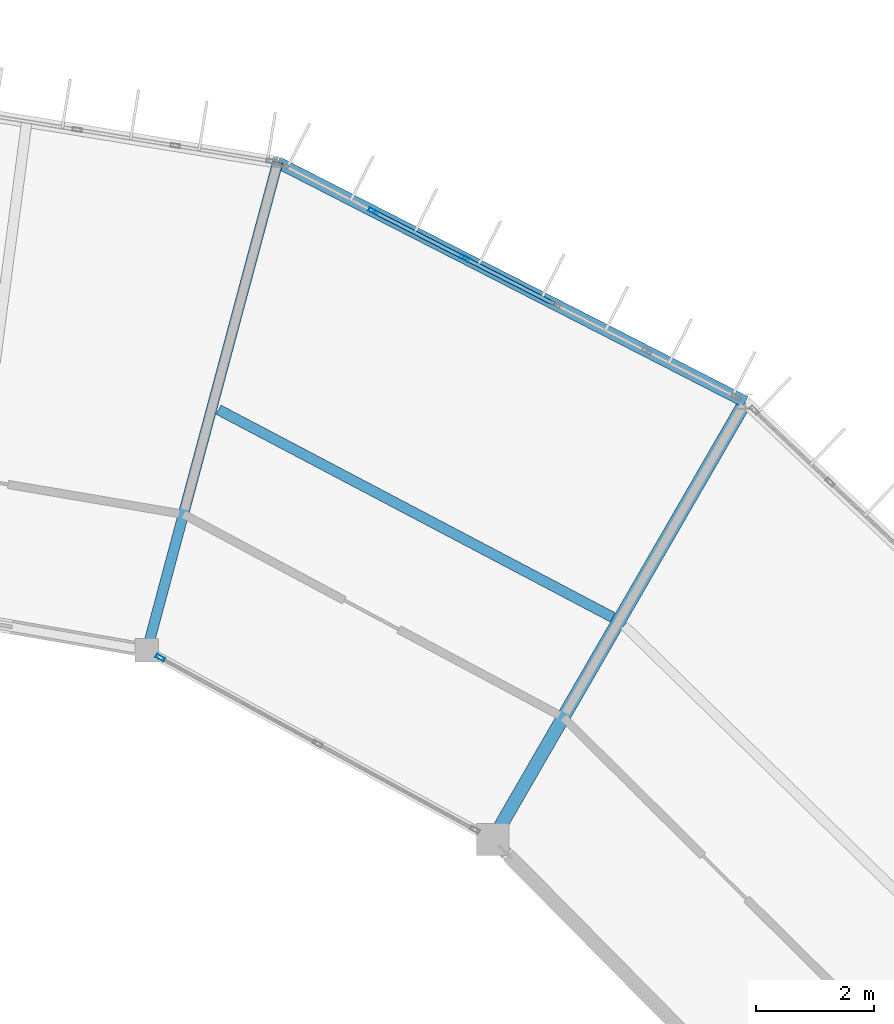
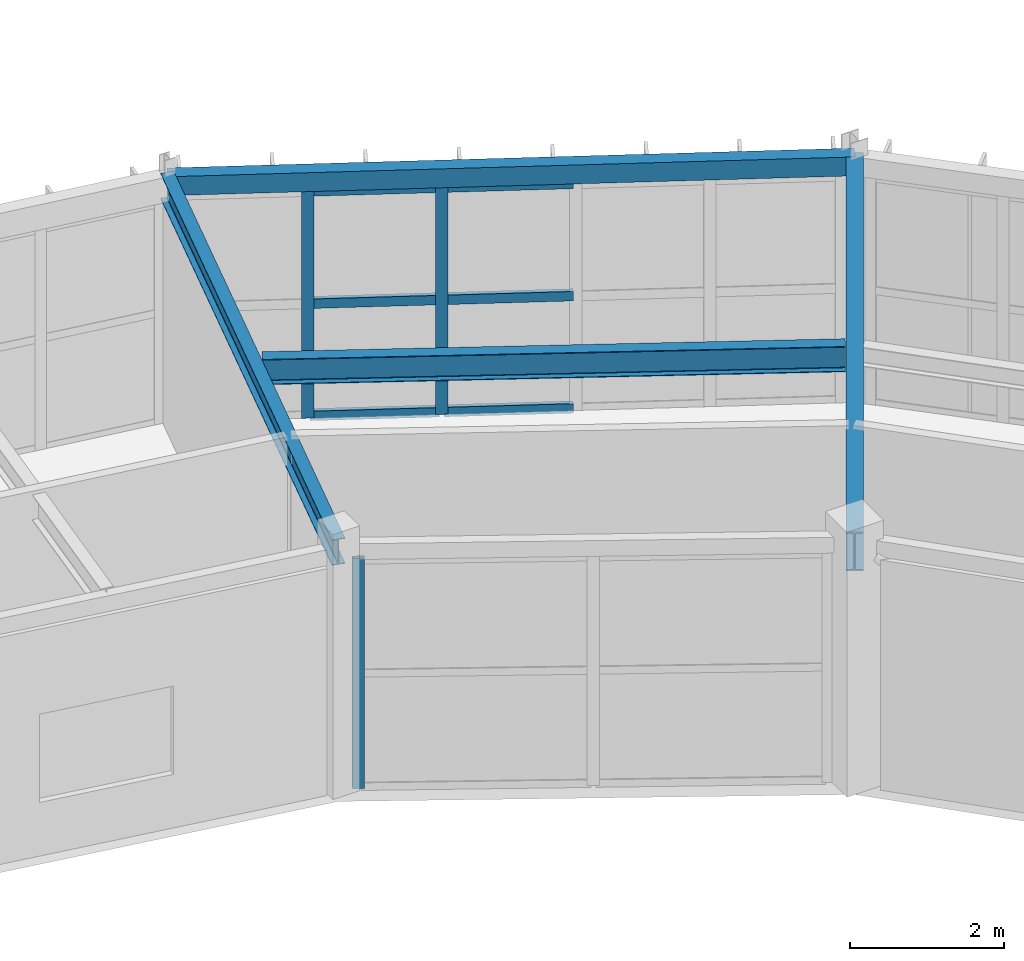
# One storey, part 72 of 106: 9 members, 4 beams, 2 elements without a shape of their own.
"""IFC4 building model written with IfcOpenShell, lengths in metres."""

import ifcopenshell
import ifcopenshell.guid

model = None  # the IFC model being written
_history = None  # IfcOwnerHistory: only IFC2X3 demands one
_inside = {}  # id of a spatial element -> (the spatial element, [elements in it])
_under = {}  # id of a project, library or spatial element -> (it, [spatial elements below it])
_declared = {}  # id of a project -> (the project, [libraries it declares])
_typed = {}  # id of a type object -> (the type object, [elements of that type])
_made_of = {}  # id of a material, layer set ... -> (it, [elements and type objects made of it])


def new_model(schema):
    """Start an empty IFC model of exactly this schema.

    Asked for "IFC4X3", IfcOpenShell would pick the latest addendum, in which some entities
    have other attributes; the version numbers below select the first issue.
    IFC2X3 requires an IfcOwnerHistory on every rooted entity: one is made here for all.
    """
    global model, _history
    if schema == "IFC4X3":
        model = ifcopenshell.file(schema_version=(4, 3, 0, 0))
    else:
        model = ifcopenshell.file(schema=schema)
    _inside.clear()
    _under.clear()
    _declared.clear()
    _typed.clear()
    _made_of.clear()
    _history = None
    if model.schema == "IFC2X3":
        org = make("IfcOrganization", Name="unknown")
        user = make(
            "IfcPersonAndOrganization",
            ThePerson=make("IfcPerson", FamilyName="unknown"),
            TheOrganization=org,
        )
        app = make(
            "IfcApplication",
            ApplicationDeveloper=org,
            Version="unknown",
            ApplicationFullName="unknown",
            ApplicationIdentifier="unknown",
        )
        _history = make(
            "IfcOwnerHistory",
            OwningUser=user,
            OwningApplication=app,
            ChangeAction="ADDED",
            CreationDate=0,
        )
    return model


def make(cls, **values):
    """One entity of the class cls with the attributes given. An attribute that is None is left unset."""
    return model.create_entity(
        cls, **{name: value for name, value in values.items() if value is not None}
    )


def rooted(cls, **values):
    """An entity with a GlobalId (a new one), such as an element, a storey or a relation."""
    return make(cls, GlobalId=ifcopenshell.guid.new(), OwnerHistory=_history, **values)


def si_unit(unit_type, name, prefix=None):
    """IfcSIUnit, for example si_unit("LENGTHUNIT", "METRE", prefix="MILLI")."""
    return make("IfcSIUnit", UnitType=unit_type, Prefix=prefix, Name=name)


def assignment(units):
    """IfcUnitAssignment: the units of a project."""
    return None if units is None else make("IfcUnitAssignment", Units=units)


def point(xyz):
    """IfcCartesianPoint."""
    return None if xyz is None else make("IfcCartesianPoint", Coordinates=xyz)


def direction(xyz):
    """IfcDirection."""
    return None if xyz is None else make("IfcDirection", DirectionRatios=xyz)


def frame(location, z_axis=None, x_axis=None):
    """IfcAxis2Placement3D, a coordinate frame: its origin and axes. An axis left out is left unset."""
    return make(
        "IfcAxis2Placement3D",
        Location=point(location),
        Axis=direction(z_axis),
        RefDirection=direction(x_axis),
    )


def frame_2d(location, x_axis=None):
    """IfcAxis2Placement2D, a coordinate frame in the plane: its origin and x axis."""
    return make(
        "IfcAxis2Placement2D", Location=point(location), RefDirection=direction(x_axis)
    )


def origin():
    """The frame at (0, 0, 0) with its axes left unset."""
    return frame((0.0, 0.0, 0.0))


def origin_2d():
    """The frame at (0, 0) in the plane with its x axis left unset."""
    return frame_2d((0.0, 0.0))


def place(relative_to, where):
    """IfcLocalPlacement: puts the frame where relative to a parent placement (None: the world)."""
    return make(
        "IfcLocalPlacement", PlacementRelTo=relative_to, RelativePlacement=where
    )


def context(
    kind, dimensions, precision=None, world=None, true_north=None, identifier=None
):
    """IfcGeometricRepresentationContext, for example the 3D "Model" context."""
    return make(
        "IfcGeometricRepresentationContext",
        ContextIdentifier=identifier,
        ContextType=kind,
        CoordinateSpaceDimension=dimensions,
        Precision=precision,
        WorldCoordinateSystem=world,
        TrueNorth=true_north,
    )


def subcontext(parent, identifier, kind, view, scale=None):
    """IfcGeometricRepresentationSubContext, for example "Body" below "Model"."""
    return make(
        "IfcGeometricRepresentationSubContext",
        ContextIdentifier=identifier,
        ContextType=kind,
        ParentContext=parent,
        TargetScale=scale,
        TargetView=view,
    )


def project(units=None, contexts=None):
    """IfcProject with its units and contexts."""
    return rooted(
        "IfcProject",
        Name="project",
        RepresentationContexts=contexts,
        UnitsInContext=assignment(units),
    )


def spatial(cls, under=None, at=None, **own):
    """A site, building, storey or space (cls), placed at a placement, below another one or the project."""
    s = rooted(cls, ObjectPlacement=at, **own)
    if under is not None:
        _under.setdefault(under.id(), (under, []))[1].append(s)
    return s


def profile(cls, at=None, kind="AREA", **sizes):
    """A parametric profile (cls). Its sizes go by their IFC names, for example OverallWidth=200.0."""
    return make(cls, ProfileType=kind, Position=at, **sizes)


def hollow_rectangle(**sizes):
    """IfcRectangleHollowProfileDef."""
    return profile("IfcRectangleHollowProfileDef", **sizes)


def i_section(**sizes):
    """IfcIShapeProfileDef."""
    return profile("IfcIShapeProfileDef", **sizes)


def extrude(swept, where, along, depth):
    """IfcExtrudedAreaSolid: the profile swept, set in the frame where, extruded along a direction by depth."""
    return make(
        "IfcExtrudedAreaSolid",
        SweptArea=swept,
        Position=where,
        ExtrudedDirection=direction(along),
        Depth=depth,
    )


def shape(context_of_items, identifier, shape_type, items):
    """IfcShapeRepresentation: the items that make up one representation, for example the "Body"."""
    return make(
        "IfcShapeRepresentation",
        ContextOfItems=context_of_items,
        RepresentationIdentifier=identifier,
        RepresentationType=shape_type,
        Items=items,
    )


def material(Name=None, Category=None):
    """IfcMaterial."""
    return make("IfcMaterial", Name=Name, Category=Category)


def material_profile(
    of_material, cross_section, Name=None, Category=None, Priority=None
):
    """IfcMaterialProfile: a cross section and its material."""
    return make(
        "IfcMaterialProfile",
        Name=Name,
        Material=of_material,
        Profile=cross_section,
        Priority=Priority,
        Category=Category,
    )


def profile_set(profiles, Name=None, composite=None):
    """IfcMaterialProfileSet."""
    return make(
        "IfcMaterialProfileSet",
        Name=Name,
        MaterialProfiles=profiles,
        CompositeProfile=composite,
    )


def made_of(thing, what):
    """Note that an element or type object is made of a material, layer set ...; save() writes the relation."""
    if what is not None:
        _made_of.setdefault(what.id(), (what, []))[1].append(thing)
    return thing


def type_object(cls, material=None, **own):
    """A type object (cls), such as IfcWallType, which elements share."""
    return made_of(rooted(cls, **own), material)


def element(
    cls,
    number,
    at=None,
    inside=None,
    cuts=None,
    type_object=None,
    material=None,
    context=None,
    identifier="Body",
    shape_type=None,
    held_by="IfcProductDefinitionShape",
    body=None,
    shapes=None,
    **own,
):
    """One element of the class cls, such as IfcWall. Its Tag is "e" and its number.

    at: its placement. inside: the storey or other place that contains it. cuts: it is an
    opening in that element (IfcRelVoidsElement). A single representation is given by context,
    identifier, shape_type and body (its items); several are given by shapes. held_by: the class
    of the entity that holds the representations. save() writes the other relations.
    """
    e = rooted(cls, Tag="e%d" % number, ObjectPlacement=at, **own)
    if body is not None:
        shapes = [shape(context, identifier, shape_type, body)]
    if shapes is not None:
        e.Representation = make(held_by, Representations=shapes)
    if inside is not None:
        _inside.setdefault(inside.id(), (inside, []))[1].append(e)
    if cuts is not None:
        rooted(
            "IfcRelVoidsElement", RelatingBuildingElement=cuts, RelatedOpeningElement=e
        )
    if type_object is not None:
        _typed.setdefault(type_object.id(), (type_object, []))[1].append(e)
    return made_of(e, material)


def aggregate(whole, parts):
    """IfcRelAggregates: a whole, such as a stair, and the parts it consists of."""
    return rooted("IfcRelAggregates", RelatingObject=whole, RelatedObjects=parts)


def save(model, path):
    """Write the relations noted so far, then the file.

    IfcRelAggregates (storeys below a building ...), IfcRelContainedInSpatialStructure (elements
    in a storey), IfcRelDefinesByType, IfcRelAssociatesMaterial and IfcRelDeclares: one each for
    every whole, place, type object, material and project.
    """
    for whole, parts in _under.values():
        aggregate(whole, parts)
    for where, things in _inside.values():
        rooted(
            "IfcRelContainedInSpatialStructure",
            RelatedElements=things,
            RelatingStructure=where,
        )
    for kind, things in _typed.values():
        rooted("IfcRelDefinesByType", RelatedObjects=things, RelatingType=kind)
    for what, things in _made_of.values():
        rooted("IfcRelAssociatesMaterial", RelatedObjects=things, RelatingMaterial=what)
    for by, libraries in _declared.values():
        rooted("IfcRelDeclares", RelatingContext=by, RelatedDefinitions=libraries)
    model.write(path)


model = new_model("IFC4")

# Units and contexts
model_context = context("Model", 3, precision=1e-05, world=origin(), true_north=direction((0.0, 1.0)))
body_context = subcontext(model_context, "Body", "Model", "MODEL_VIEW")
ifc_project = project(units=[si_unit("LENGTHUNIT", "METRE"), si_unit("AREAUNIT", "SQUARE_METRE"), si_unit("VOLUMEUNIT", "CUBIC_METRE"), si_unit("PLANEANGLEUNIT", "RADIAN"), si_unit("MASSUNIT", "GRAM", prefix="KILO")], contexts=[model_context])

# Site, building, storey
site_placement = place(None, origin())
site = spatial("IfcSite", under=ifc_project, at=site_placement, CompositionType="ELEMENT")
building_placement = place(site_placement, origin())
building = spatial("IfcBuilding", under=site, at=building_placement, Name="Karori Crest Natural Sciences Institute", CompositionType="ELEMENT")
storey_placement = place(building_placement, frame((0.0, 0.0, 25.89990234375)))
storey = spatial("IfcBuildingStorey", under=building, at=storey_placement, Name="L06", CompositionType="ELEMENT", Elevation=25.89990234375)

# Beams
ifc_material_1 = material(Name="Structural steel AS/NZS 3679.1 Grade 350", Category="steel")
ifc_material_profile_1 = material_profile(ifc_material_1, i_section(OverallWidth=0.22900390625, OverallDepth=0.612060546875, WebThickness=0.011962890625, FlangeThickness=0.01953125, FilletRadius=0.013916015625, at=origin_2d()), Name="610UB125")
ifc_profile_set_1 = profile_set([ifc_material_profile_1], Name="Structural steel AS/NZS 3679.1 Grade 350")
beam_type_1 = type_object("IfcBeamType", Name="BT-04", PredefinedType="BEAM", material=ifc_profile_set_1)
beam_1_placement = place(storey_placement, frame((78.60009765625, 77.785888671875, 3.634033203125), z_axis=(0.499973925258, 0.86604045752, 0.0), x_axis=(-0.86604045752, 0.499973925258, 0.0)))
element("IfcBeam", 1, at=beam_1_placement, inside=storey, type_object=beam_type_1, Name="Beam B-0635", PredefinedType="BEAM", context=body_context, shape_type="SweptSolid", body=[
    extrude(i_section(OverallWidth=0.22900390625, OverallDepth=0.612060546875, WebThickness=0.011962890625, FlangeThickness=0.01953125, FilletRadius=0.013916015625, at=origin_2d()), origin(), (0.0, 0.0, 1.0), 8.60009765625),
])
ifc_material_profile_2 = material_profile(ifc_material_1, i_section(OverallWidth=0.177978515625, OverallDepth=0.406005859375, WebThickness=0.0078125, FlangeThickness=0.0126953125, FilletRadius=0.010986328125, at=origin_2d()), Name="410UB59.7")
ifc_profile_set_2 = profile_set([ifc_material_profile_2], Name="Structural steel AS/NZS 3679.1 Grade 350")
beam_type_2 = type_object("IfcBeamType", Name="BT-07", PredefinedType="BEAM", material=ifc_profile_set_2)
beam_2_placement = place(storey_placement, frame((72.715087890625, 81.002685546875, 3.739990234375), z_axis=(0.258812709002, 0.96592752402, 0.0), x_axis=(-0.96592752402, 0.258812709002, 0.0)))
element("IfcBeam", 2, at=beam_2_placement, inside=storey, type_object=beam_type_2, Name="Beam B-0661", PredefinedType="BEAM", context=body_context, shape_type="SweptSolid", body=[
    extrude(i_section(OverallWidth=0.177978515625, OverallDepth=0.406005859375, WebThickness=0.0078125, FlangeThickness=0.0126953125, FilletRadius=0.010986328125, at=origin_2d()), origin(), (0.0, 0.0, 1.0), 8.60009765625),
])
ifc_material_2 = material(Name="Hollow structural steel AS/NZS 1163 Grade C350", Category="steel")
ifc_material_profile_3 = material_profile(ifc_material_2, hollow_rectangle(XDim=0.199951171875, YDim=0.300048828125, WallThickness=0.010009765625, at=origin_2d()), Name="RHS300x200x10")
ifc_profile_set_3 = profile_set([ifc_material_profile_3], Name="Hollow structural steel AS/NZS 1163 Grade C350")
beam_type_3 = type_object("IfcBeamType", Name="BT-15", PredefinedType="SPANDREL", material=ifc_profile_set_3)
beam_3_placement = place(storey_placement, frame((82.89990234375, 85.23388671875, 3.7900390625), z_axis=(-0.890071733872, 0.455820478436, 0.0), x_axis=(-0.455820478436, -0.890071733872, 0.0)))
element("IfcBeam", 3, at=beam_3_placement, inside=storey, type_object=beam_type_3, Name="Beam B-0633", PredefinedType="SPANDREL", context=body_context, shape_type="SweptSolid", body=[
    extrude(hollow_rectangle(XDim=0.199951171875, YDim=0.300048828125, WallThickness=0.010009765625, at=origin_2d()), origin(), (0.0, 0.0, 1.0), 8.94189453125),
])
ifc_material_profile_4 = material_profile(ifc_material_1, i_section(OverallWidth=0.177978515625, OverallDepth=0.403076171875, WebThickness=0.007568359375, FlangeThickness=0.010986328125, FilletRadius=0.010986328125, at=origin_2d()), Name="410UB53.7")
ifc_profile_set_4 = profile_set([ifc_material_profile_4], Name="Structural steel AS/NZS 3679.1 Grade 350")
beam_type_4 = type_object("IfcBeamType", Name="BT-29", PredefinedType="BEAM", material=ifc_profile_set_4)
beam_4_placement = place(storey_placement, frame((80.643798828125, 81.56591796875, 3.738525390625), z_axis=(-0.884748465601, 0.466068828197, 0.0), x_axis=(-0.466068828197, -0.884748465601, 0.0)))
element("IfcBeam", 4, at=beam_4_placement, inside=storey, type_object=beam_type_4, Name="Beam B-0636", PredefinedType="BEAM", context=body_context, shape_type="SweptSolid", body=[
    extrude(i_section(OverallWidth=0.177978515625, OverallDepth=0.403076171875, WebThickness=0.007568359375, FlangeThickness=0.010986328125, FilletRadius=0.010986328125, at=origin_2d()), origin(), (0.0, 0.0, 1.0), 7.58349609375),
])

# Curtain wall, members
ifc_material_3 = material(Name="Anodised architectural aluminium 6063-T6", Category="aluminium")
curtain_wall_type_1 = type_object("IfcCurtainWallType", Name="CWT-05", PredefinedType="NOTDEFINED", material=ifc_material_3)
curtain_wall_1_placement = place(storey_placement, origin())
curtain_wall_1 = element("IfcCurtainWall", 5, at=curtain_wall_1_placement, inside=storey, type_object=curtain_wall_type_1, Name="Curtain wall CW-0226", PredefinedType="NOTDEFINED")
ifc_material_profile_5 = material_profile(ifc_material_3, hollow_rectangle(XDim=0.06494140625, YDim=0.159912109375, WallThickness=0.00390625, at=origin_2d()), Name="CWM160x65x4")
ifc_profile_set_5 = profile_set([ifc_material_profile_5], Name="Anodised architectural aluminium 6063-T6")
member_type_1 = type_object("IfcMemberType", Name="CWM-01", PredefinedType="MULLION", material=ifc_profile_set_5)
member_1_placement = place(storey_placement, frame((76.56787109375, 88.4765625, 0.0), z_axis=(0.0, 0.0, 1.0), x_axis=(0.455828878252, 0.890067432138, 0.0)))
member_1 = element("IfcMember", 6, at=member_1_placement, type_object=member_type_1, Name="CW-0226 mullion 2", PredefinedType="MULLION", context=body_context, shape_type="SweptSolid", body=[
    extrude(hollow_rectangle(XDim=0.06494140625, YDim=0.159912109375, WallThickness=0.00390625, at=origin_2d()), origin(), (0.0, 0.0, 1.0), 3.625),
])
member_2_placement = place(storey_placement, frame((78.11962890625, 87.681884765625, 0.0), z_axis=(0.0, 0.0, 1.0), x_axis=(0.455828878252, 0.890067432138, 0.0)))
member_2 = element("IfcMember", 7, at=member_2_placement, type_object=member_type_1, Name="CW-0226 mullion 3", PredefinedType="MULLION", context=body_context, shape_type="SweptSolid", body=[
    extrude(hollow_rectangle(XDim=0.06494140625, YDim=0.159912109375, WallThickness=0.00390625, at=origin_2d()), origin(), (0.0, 0.0, 1.0), 3.625),
])

# Curtain wall, member
curtain_wall_type_2 = type_object("IfcCurtainWallType", Name="CWT-15", PredefinedType="NOTDEFINED", material=ifc_material_3)
curtain_wall_2_placement = place(storey_placement, origin())
curtain_wall_2 = element("IfcCurtainWall", 8, at=curtain_wall_2_placement, inside=storey, type_object=curtain_wall_type_2, Name="Curtain wall CW-0227", PredefinedType="NOTDEFINED")
member_3_placement = place(storey_placement, frame((72.94189453125, 80.87890625, 0.0), z_axis=(0.0, 0.0, 1.0), x_axis=(-0.479631017431, -0.877470277057, 0.0)))
member_3 = element("IfcMember", 9, at=member_3_placement, type_object=member_type_1, Name="CW-0227 mullion 3", PredefinedType="MULLION", context=body_context, shape_type="SweptSolid", body=[
    extrude(hollow_rectangle(XDim=0.06494140625, YDim=0.159912109375, WallThickness=0.00390625, at=origin_2d()), origin(), (0.0, 0.0, 1.0), 3.650146484375),
])
aggregate(curtain_wall_2, [member_3])

# Member
ifc_material_profile_6 = material_profile(ifc_material_3, hollow_rectangle(XDim=0.06494140625, YDim=0.14990234375, WallThickness=0.00390625, at=origin_2d()), Name="CWT150x65x4")
ifc_profile_set_6 = profile_set([ifc_material_profile_6], Name="Anodised architectural aluminium 6063-T6")
member_type_2 = type_object("IfcMemberType", Name="CWT-TR2", PredefinedType="USERDEFINED", material=ifc_profile_set_6)
member_4_placement = place(storey_placement, frame((76.596923828125, 88.4619140625, 0.03271484375), z_axis=(0.890050562189, -0.455861817601, 0.0), x_axis=(0.455861817601, 0.890050562189, 0.0)))
member_4 = element("IfcMember", 10, at=member_4_placement, type_object=member_type_2, Name="CW-0226 transom 2.1", ObjectType="TRANSOM", PredefinedType="USERDEFINED", context=body_context, shape_type="SweptSolid", body=[
    extrude(hollow_rectangle(XDim=0.06494140625, YDim=0.14990234375, WallThickness=0.00390625, at=origin_2d()), origin(), (0.0, 0.0, 1.0), 1.678466796875),
])

member_5_placement = place(storey_placement, frame((76.596923828125, 88.4619140625, 1.8125), z_axis=(0.890050562189, -0.455861817601, 0.0), x_axis=(0.455861817601, 0.890050562189, 0.0)))
member_5 = element("IfcMember", 11, at=member_5_placement, type_object=member_type_2, Name="CW-0226 transom 2.2", ObjectType="TRANSOM", PredefinedType="USERDEFINED", context=body_context, shape_type="SweptSolid", body=[
    extrude(hollow_rectangle(XDim=0.06494140625, YDim=0.14990234375, WallThickness=0.00390625, at=origin_2d()), origin(), (0.0, 0.0, 1.0), 1.678466796875),
])

member_6_placement = place(storey_placement, frame((76.596923828125, 88.4619140625, 3.592529296875), z_axis=(0.890050562189, -0.455861817601, 0.0), x_axis=(0.455861817601, 0.890050562189, 0.0)))
member_6 = element("IfcMember", 12, at=member_6_placement, type_object=member_type_2, Name="CW-0226 transom 2.3", ObjectType="TRANSOM", PredefinedType="USERDEFINED", context=body_context, shape_type="SweptSolid", body=[
    extrude(hollow_rectangle(XDim=0.06494140625, YDim=0.14990234375, WallThickness=0.00390625, at=origin_2d()), origin(), (0.0, 0.0, 1.0), 1.678466796875),
])

member_7_placement = place(storey_placement, frame((78.148681640625, 87.667236328125, 0.03271484375), z_axis=(0.890020328927, -0.455920841919, 0.0), x_axis=(0.455920841919, 0.890020328927, 0.0)))
member_7 = element("IfcMember", 13, at=member_7_placement, type_object=member_type_2, Name="CW-0226 transom 3.1", ObjectType="TRANSOM", PredefinedType="USERDEFINED", context=body_context, shape_type="SweptSolid", body=[
    extrude(hollow_rectangle(XDim=0.06494140625, YDim=0.14990234375, WallThickness=0.00390625, at=origin_2d()), origin(), (0.0, 0.0, 1.0), 1.67822265625),
])

member_8_placement = place(storey_placement, frame((78.148681640625, 87.667236328125, 1.8125), z_axis=(0.890020328927, -0.455920841919, 0.0), x_axis=(0.455920841919, 0.890020328927, 0.0)))
member_8 = element("IfcMember", 14, at=member_8_placement, type_object=member_type_2, Name="CW-0226 transom 3.2", ObjectType="TRANSOM", PredefinedType="USERDEFINED", context=body_context, shape_type="SweptSolid", body=[
    extrude(hollow_rectangle(XDim=0.06494140625, YDim=0.14990234375, WallThickness=0.00390625, at=origin_2d()), origin(), (0.0, 0.0, 1.0), 1.67822265625),
])

member_9_placement = place(storey_placement, frame((78.148681640625, 87.667236328125, 3.592529296875), z_axis=(0.890020328927, -0.455920841919, 0.0), x_axis=(0.455920841919, 0.890020328927, 0.0)))
member_9 = element("IfcMember", 15, at=member_9_placement, type_object=member_type_2, Name="CW-0226 transom 3.3", ObjectType="TRANSOM", PredefinedType="USERDEFINED", context=body_context, shape_type="SweptSolid", body=[
    extrude(hollow_rectangle(XDim=0.06494140625, YDim=0.14990234375, WallThickness=0.00390625, at=origin_2d()), origin(), (0.0, 0.0, 1.0), 1.67822265625),
])

aggregate(curtain_wall_1, [member_1, member_2, member_4, member_5, member_6, member_7, member_8, member_9])

save(model, "model.ifc")
